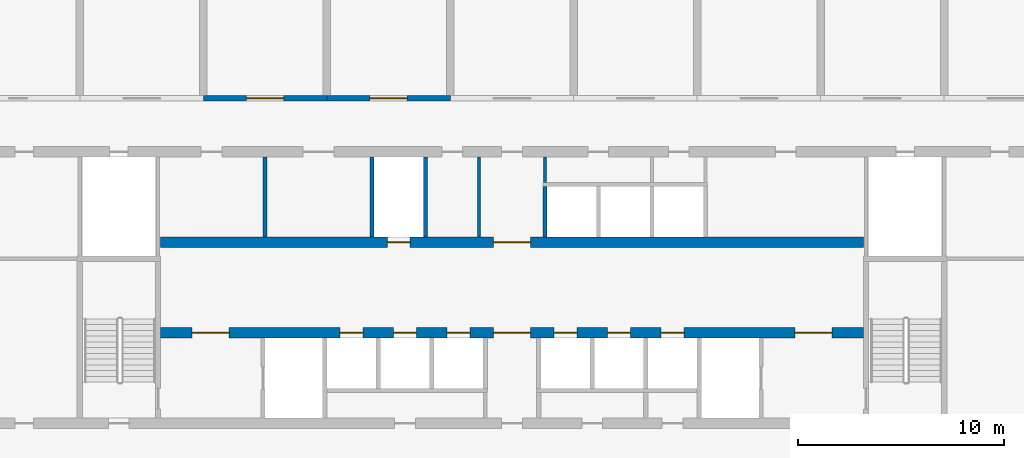
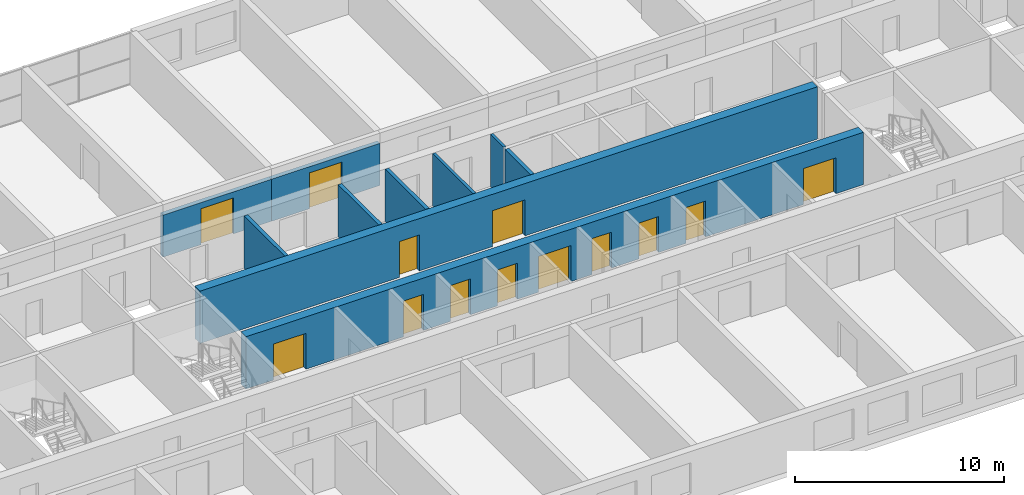
# One storey, part 10 of 18: 13 doors, 10 walls, 13 openings.
"""IFC4 building model written with IfcOpenShell, lengths in metres."""

from ifc_helpers import new_model, si_unit, direction, frame, frame_2d, origin, place, context, subcontext, project, spatial, rectangle, extrude, material, layer, layer_set, type_object, element, fill, save


model = new_model("IFC4")

# Units and contexts
model_context = context("Model", 3, precision=1e-05, world=origin(), true_north=direction((0.0, 1.0)))
body_context = subcontext(model_context, "Body", "Model", "MODEL_VIEW")
ifc_project = project(units=[si_unit("LENGTHUNIT", "METRE"), si_unit("AREAUNIT", "SQUARE_METRE"), si_unit("VOLUMEUNIT", "CUBIC_METRE"), si_unit("PLANEANGLEUNIT", "RADIAN"), si_unit("MASSUNIT", "GRAM", prefix="KILO")], contexts=[model_context])

# Site, building, storey
site_placement = place(None, origin())
site = spatial("IfcSite", under=ifc_project, at=site_placement, CompositionType="ELEMENT")
building_placement = place(site_placement, origin())
building = spatial("IfcBuilding", under=site, at=building_placement, Name="Poui Terraces", CompositionType="ELEMENT")
storey_placement = place(building_placement, frame((0.0, 0.0, 105.89990234375)))
storey = spatial("IfcBuildingStorey", under=building, at=storey_placement, Name="L29", CompositionType="ELEMENT", Elevation=105.89990234375)

# Wall, openings, doors
ifc_material_1 = material(Name="Concrete 65 MPa", Category="concrete")
ifc_layer_1 = layer(ifc_material_1, 0.5)
ifc_layer_set_1 = layer_set([ifc_layer_1], Name="Concrete 65 MPa")
wall_type_1 = type_object("IfcWallType", Name="CORE WALL 500 65 MPA", PredefinedType="SOLIDWALL", material=ifc_layer_set_1)
wall_1_placement = place(storey_placement, frame((33.925048828125, 19.0, 0.0), z_axis=(0.0, 0.0, 1.0), x_axis=(1.0, 0.0, 0.0)))
wall_1 = element("IfcWall", 1, at=wall_1_placement, inside=storey, type_object=wall_type_1, Name="CORE WALL", PredefinedType="SOLIDWALL", context=body_context, shape_type="SweptSolid", body=[
    extrude(rectangle(XDim=34.14990234375, YDim=0.5, at=frame_2d((17.074951171875, 0.0))), origin(), (0.0, 0.0, 1.0), 3.06005859375),
])
opening_1_placement = place(wall_1_placement, frame((16.175048828125, 0.0, 0.0)))
opening_1 = element("IfcOpeningElement", 2, at=opening_1_placement, cuts=wall_1, Name="Opening FDD60", PredefinedType="OPENING", context=body_context, shape_type="SweptSolid", body=[
    extrude(rectangle(XDim=1.800048828125, YDim=2.10009765625, at=frame_2d((0.89990234375, 1.050048828125))), frame((0.0, 0.260009765625, 0.0), z_axis=(0.0, -1.0, 0.0), x_axis=(1.0, 0.0, 0.0)), (0.0, 0.0, 1.0), 0.52001953125),
])
opening_2_placement = place(wall_1_placement, frame((1.52490234375, 0.0, 0.0)))
opening_2 = element("IfcOpeningElement", 3, at=opening_2_placement, cuts=wall_1, Name="Opening FDD60", PredefinedType="OPENING", context=body_context, shape_type="SweptSolid", body=[
    extrude(rectangle(XDim=1.800048828125, YDim=2.10009765625, at=frame_2d((0.89990234375, 1.050048828125))), frame((0.0, 0.260009765625, 0.0), z_axis=(0.0, -1.0, 0.0), x_axis=(1.0, 0.0, 0.0)), (0.0, 0.0, 1.0), 0.52001953125),
])
opening_3_placement = place(wall_1_placement, frame((8.72509765625, 0.0, 0.0)))
opening_3 = element("IfcOpeningElement", 4, at=opening_3_placement, cuts=wall_1, Name="Opening LD", PredefinedType="OPENING", context=body_context, shape_type="SweptSolid", body=[
    extrude(rectangle(XDim=1.10009765625, YDim=2.10009765625, at=frame_2d((0.550048828125, 1.050048828125))), frame((0.0, 0.260009765625, 0.0), z_axis=(0.0, -1.0, 0.0), x_axis=(1.0, 0.0, 0.0)), (0.0, 0.0, 1.0), 0.52001953125),
])
opening_4_placement = place(wall_1_placement, frame((11.324951171875, 0.0, 0.0)))
opening_4 = element("IfcOpeningElement", 5, at=opening_4_placement, cuts=wall_1, Name="Opening LD", PredefinedType="OPENING", context=body_context, shape_type="SweptSolid", body=[
    extrude(rectangle(XDim=1.10009765625, YDim=2.10009765625, at=frame_2d((0.550048828125, 1.050048828125))), frame((0.0, 0.260009765625, 0.0), z_axis=(0.0, -1.0, 0.0), x_axis=(1.0, 0.0, 0.0)), (0.0, 0.0, 1.0), 0.52001953125),
])
opening_5_placement = place(wall_1_placement, frame((13.925048828125, 0.0, 0.0)))
opening_5 = element("IfcOpeningElement", 6, at=opening_5_placement, cuts=wall_1, Name="Opening LD", PredefinedType="OPENING", context=body_context, shape_type="SweptSolid", body=[
    extrude(rectangle(XDim=1.10009765625, YDim=2.10009765625, at=frame_2d((0.550048828125, 1.050048828125))), frame((0.0, 0.260009765625, 0.0), z_axis=(0.0, -1.0, 0.0), x_axis=(1.0, 0.0, 0.0)), (0.0, 0.0, 1.0), 0.52001953125),
])
opening_6_placement = place(wall_1_placement, frame((19.125, 0.0, 0.0)))
opening_6 = element("IfcOpeningElement", 7, at=opening_6_placement, cuts=wall_1, Name="Opening LD", PredefinedType="OPENING", context=body_context, shape_type="SweptSolid", body=[
    extrude(rectangle(XDim=1.10009765625, YDim=2.10009765625, at=frame_2d((0.550048828125, 1.050048828125))), frame((0.0, 0.260009765625, 0.0), z_axis=(0.0, -1.0, 0.0), x_axis=(1.0, 0.0, 0.0)), (0.0, 0.0, 1.0), 0.52001953125),
])
opening_7_placement = place(wall_1_placement, frame((21.72509765625, 0.0, 0.0)))
opening_7 = element("IfcOpeningElement", 8, at=opening_7_placement, cuts=wall_1, Name="Opening LD", PredefinedType="OPENING", context=body_context, shape_type="SweptSolid", body=[
    extrude(rectangle(XDim=1.10009765625, YDim=2.10009765625, at=frame_2d((0.550048828125, 1.050048828125))), frame((0.0, 0.260009765625, 0.0), z_axis=(0.0, -1.0, 0.0), x_axis=(1.0, 0.0, 0.0)), (0.0, 0.0, 1.0), 0.52001953125),
])
opening_8_placement = place(wall_1_placement, frame((24.324951171875, 0.0, 0.0)))
opening_8 = element("IfcOpeningElement", 9, at=opening_8_placement, cuts=wall_1, Name="Opening LD", PredefinedType="OPENING", context=body_context, shape_type="SweptSolid", body=[
    extrude(rectangle(XDim=1.10009765625, YDim=2.10009765625, at=frame_2d((0.550048828125, 1.050048828125))), frame((0.0, 0.260009765625, 0.0), z_axis=(0.0, -1.0, 0.0), x_axis=(1.0, 0.0, 0.0)), (0.0, 0.0, 1.0), 0.52001953125),
])
opening_9_placement = place(wall_1_placement, frame((30.824951171875, 0.0, 0.0)))
opening_9 = element("IfcOpeningElement", 10, at=opening_9_placement, cuts=wall_1, Name="Opening FDD60", PredefinedType="OPENING", context=body_context, shape_type="SweptSolid", body=[
    extrude(rectangle(XDim=1.800048828125, YDim=2.10009765625, at=frame_2d((0.89990234375, 1.050048828125))), frame((0.0, 0.260009765625, 0.0), z_axis=(0.0, -1.0, 0.0), x_axis=(1.0, 0.0, 0.0)), (0.0, 0.0, 1.0), 0.52001953125),
])
ifc_material_2 = material(Name="Steel fire door", Category="steel")
door_type_1 = type_object("IfcDoorType", Name="DOUBLE LOBBY FIRE DOOR 1800 X 2100", OperationType="DOUBLE_DOOR_SINGLE_SWING", PredefinedType="DOOR", material=ifc_material_2)
door_1_placement = place(opening_1_placement, frame((1.800048828125, 0.0, 0.0), z_axis=(0.0, 0.0, 1.0), x_axis=(-1.0, 0.0, 0.0)))
door_1 = element("IfcDoor", 11, at=door_1_placement, inside=storey, type_object=door_type_1, Name="DOUBLE LOBBY FIRE DOOR 076", OperationType="DOUBLE_DOOR_SINGLE_SWING", OverallHeight=2.10009765625, OverallWidth=1.800048828125, PredefinedType="DOOR", context=body_context, shape_type="SweptSolid", body=[
    extrude(rectangle(XDim=1.800048828125, YDim=2.10009765625, at=frame_2d((0.89990234375, 1.050048828125))), frame((0.0, 0.02490234375, 0.0), z_axis=(0.0, -1.0, 0.0), x_axis=(1.0, 0.0, 0.0)), (0.0, 0.0, 1.0), 0.050048828125),
])
fill(opening_1, door_1)
door_2_placement = place(opening_2_placement, origin())
door_2 = element("IfcDoor", 12, at=door_2_placement, inside=storey, type_object=door_type_1, Name="DOUBLE LOBBY FIRE DOOR 077", OperationType="DOUBLE_DOOR_SINGLE_SWING", OverallHeight=2.10009765625, OverallWidth=1.800048828125, PredefinedType="DOOR", context=body_context, shape_type="SweptSolid", body=[
    extrude(rectangle(XDim=1.800048828125, YDim=2.10009765625, at=frame_2d((0.89990234375, 1.050048828125))), frame((0.0, 0.02490234375, 0.0), z_axis=(0.0, -1.0, 0.0), x_axis=(1.0, 0.0, 0.0)), (0.0, 0.0, 1.0), 0.050048828125),
])
fill(opening_2, door_2)
door_3_placement = place(opening_9_placement, origin())
door_3 = element("IfcDoor", 13, at=door_3_placement, inside=storey, type_object=door_type_1, Name="DOUBLE LOBBY FIRE DOOR 085", OperationType="DOUBLE_DOOR_SINGLE_SWING", OverallHeight=2.10009765625, OverallWidth=1.800048828125, PredefinedType="DOOR", context=body_context, shape_type="SweptSolid", body=[
    extrude(rectangle(XDim=1.800048828125, YDim=2.10009765625, at=frame_2d((0.89990234375, 1.050048828125))), frame((0.0, 0.02490234375, 0.0), z_axis=(0.0, -1.0, 0.0), x_axis=(1.0, 0.0, 0.0)), (0.0, 0.0, 1.0), 0.050048828125),
])
fill(opening_9, door_3)
ifc_material_3 = material(Name="Stainless steel sliding door", Category="steel")
door_type_2 = type_object("IfcDoorType", Name="LIFT LANDING DOOR 1100 X 2100", OperationType="DOUBLE_DOOR_SLIDING", PredefinedType="DOOR", material=ifc_material_3)
door_4_placement = place(opening_3_placement, origin())
door_4 = element("IfcDoor", 14, at=door_4_placement, inside=storey, type_object=door_type_2, Name="LANDING DOOR", OperationType="DOUBLE_DOOR_SLIDING", OverallHeight=2.10009765625, OverallWidth=1.10009765625, PredefinedType="DOOR", context=body_context, shape_type="SweptSolid", body=[
    extrude(rectangle(XDim=1.10009765625, YDim=2.10009765625, at=frame_2d((0.550048828125, 1.050048828125))), frame((0.0, 0.02490234375, 0.0), z_axis=(0.0, -1.0, 0.0), x_axis=(1.0, 0.0, 0.0)), (0.0, 0.0, 1.0), 0.050048828125),
])
fill(opening_3, door_4)
door_5_placement = place(opening_4_placement, origin())
door_5 = element("IfcDoor", 15, at=door_5_placement, inside=storey, type_object=door_type_2, Name="LANDING DOOR", OperationType="DOUBLE_DOOR_SLIDING", OverallHeight=2.10009765625, OverallWidth=1.10009765625, PredefinedType="DOOR", context=body_context, shape_type="SweptSolid", body=[
    extrude(rectangle(XDim=1.10009765625, YDim=2.10009765625, at=frame_2d((0.550048828125, 1.050048828125))), frame((0.0, 0.02490234375, 0.0), z_axis=(0.0, -1.0, 0.0), x_axis=(1.0, 0.0, 0.0)), (0.0, 0.0, 1.0), 0.050048828125),
])
fill(opening_4, door_5)
door_6_placement = place(opening_5_placement, origin())
door_6 = element("IfcDoor", 16, at=door_6_placement, inside=storey, type_object=door_type_2, Name="LANDING DOOR", OperationType="DOUBLE_DOOR_SLIDING", OverallHeight=2.10009765625, OverallWidth=1.10009765625, PredefinedType="DOOR", context=body_context, shape_type="SweptSolid", body=[
    extrude(rectangle(XDim=1.10009765625, YDim=2.10009765625, at=frame_2d((0.550048828125, 1.050048828125))), frame((0.0, 0.02490234375, 0.0), z_axis=(0.0, -1.0, 0.0), x_axis=(1.0, 0.0, 0.0)), (0.0, 0.0, 1.0), 0.050048828125),
])
fill(opening_5, door_6)
door_7_placement = place(opening_6_placement, origin())
door_7 = element("IfcDoor", 17, at=door_7_placement, inside=storey, type_object=door_type_2, Name="LANDING DOOR", OperationType="DOUBLE_DOOR_SLIDING", OverallHeight=2.10009765625, OverallWidth=1.10009765625, PredefinedType="DOOR", context=body_context, shape_type="SweptSolid", body=[
    extrude(rectangle(XDim=1.10009765625, YDim=2.10009765625, at=frame_2d((0.550048828125, 1.050048828125))), frame((0.0, 0.02490234375, 0.0), z_axis=(0.0, -1.0, 0.0), x_axis=(1.0, 0.0, 0.0)), (0.0, 0.0, 1.0), 0.050048828125),
])
fill(opening_6, door_7)
door_8_placement = place(opening_7_placement, origin())
door_8 = element("IfcDoor", 18, at=door_8_placement, inside=storey, type_object=door_type_2, Name="LANDING DOOR", OperationType="DOUBLE_DOOR_SLIDING", OverallHeight=2.10009765625, OverallWidth=1.10009765625, PredefinedType="DOOR", context=body_context, shape_type="SweptSolid", body=[
    extrude(rectangle(XDim=1.10009765625, YDim=2.10009765625, at=frame_2d((0.550048828125, 1.050048828125))), frame((0.0, 0.02490234375, 0.0), z_axis=(0.0, -1.0, 0.0), x_axis=(1.0, 0.0, 0.0)), (0.0, 0.0, 1.0), 0.050048828125),
])
fill(opening_7, door_8)
door_9_placement = place(opening_8_placement, origin())
door_9 = element("IfcDoor", 19, at=door_9_placement, inside=storey, type_object=door_type_2, Name="LANDING DOOR", OperationType="DOUBLE_DOOR_SLIDING", OverallHeight=2.10009765625, OverallWidth=1.10009765625, PredefinedType="DOOR", context=body_context, shape_type="SweptSolid", body=[
    extrude(rectangle(XDim=1.10009765625, YDim=2.10009765625, at=frame_2d((0.550048828125, 1.050048828125))), frame((0.0, 0.02490234375, 0.0), z_axis=(0.0, -1.0, 0.0), x_axis=(1.0, 0.0, 0.0)), (0.0, 0.0, 1.0), 0.050048828125),
])
fill(opening_8, door_9)

wall_2_placement = place(storey_placement, frame((33.925048828125, 23.39990234375, 0.0), z_axis=(0.0, 0.0, 1.0), x_axis=(1.0, 0.0, 0.0)))
wall_2 = element("IfcWall", 20, at=wall_2_placement, inside=storey, type_object=wall_type_1, Name="CORE WALL", PredefinedType="SOLIDWALL", context=body_context, shape_type="SweptSolid", body=[
    extrude(rectangle(XDim=34.14990234375, YDim=0.5, at=frame_2d((17.074951171875, 0.0))), origin(), (0.0, 0.0, 1.0), 3.06005859375),
])
opening_10_placement = place(wall_2_placement, frame((16.175048828125, 0.0, 0.0)))
opening_10 = element("IfcOpeningElement", 21, at=opening_10_placement, cuts=wall_2, Name="Opening FDD60", PredefinedType="OPENING", context=body_context, shape_type="SweptSolid", body=[
    extrude(rectangle(XDim=1.800048828125, YDim=2.10009765625, at=frame_2d((0.89990234375, 1.050048828125))), frame((0.0, 0.260009765625, 0.0), z_axis=(0.0, -1.0, 0.0), x_axis=(1.0, 0.0, 0.0)), (0.0, 0.0, 1.0), 0.52001953125),
])
opening_11_placement = place(wall_2_placement, frame((11.02490234375, 0.0, 0.0)))
opening_11 = element("IfcOpeningElement", 22, at=opening_11_placement, cuts=wall_2, Name="Opening LD", PredefinedType="OPENING", context=body_context, shape_type="SweptSolid", body=[
    extrude(rectangle(XDim=1.10009765625, YDim=2.10009765625, at=frame_2d((0.550048828125, 1.050048828125))), frame((0.0, 0.260009765625, 0.0), z_axis=(0.0, -1.0, 0.0), x_axis=(1.0, 0.0, 0.0)), (0.0, 0.0, 1.0), 0.52001953125),
])
door_10_placement = place(opening_10_placement, origin())
door_10 = element("IfcDoor", 23, at=door_10_placement, inside=storey, type_object=door_type_1, Name="DOUBLE LOBBY FIRE DOOR 075", OperationType="DOUBLE_DOOR_SINGLE_SWING", OverallHeight=2.10009765625, OverallWidth=1.800048828125, PredefinedType="DOOR", context=body_context, shape_type="SweptSolid", body=[
    extrude(rectangle(XDim=1.800048828125, YDim=2.10009765625, at=frame_2d((0.89990234375, 1.050048828125))), frame((0.0, 0.02490234375, 0.0), z_axis=(0.0, -1.0, 0.0), x_axis=(1.0, 0.0, 0.0)), (0.0, 0.0, 1.0), 0.050048828125),
])
fill(opening_10, door_10)
door_11_placement = place(opening_11_placement, origin())
door_11 = element("IfcDoor", 24, at=door_11_placement, inside=storey, type_object=door_type_2, Name="LANDING DOOR", OperationType="DOUBLE_DOOR_SLIDING", OverallHeight=2.10009765625, OverallWidth=1.10009765625, PredefinedType="DOOR", context=body_context, shape_type="SweptSolid", body=[
    extrude(rectangle(XDim=1.10009765625, YDim=2.10009765625, at=frame_2d((0.550048828125, 1.050048828125))), frame((0.0, 0.02490234375, 0.0), z_axis=(0.0, -1.0, 0.0), x_axis=(1.0, 0.0, 0.0)), (0.0, 0.0, 1.0), 0.050048828125),
])
fill(opening_11, door_11)

# Walls
ifc_material_4 = material(Name="Fire-rated plasterboard wall")
ifc_layer_2 = layer(ifc_material_4, 0.14990234375)
ifc_layer_set_2 = layer_set([ifc_layer_2], Name="Fire-rated plasterboard wall")
wall_type_2 = type_object("IfcWallType", Name="CORRIDOR WALL 150", PredefinedType="PARTITIONING", material=ifc_layer_set_2)
wall_3_placement = place(storey_placement, frame((49.39990234375, 23.659912109375, 0.0), z_axis=(0.0, 0.0, 1.0), x_axis=(0.0, 1.0, 0.0)))
element("IfcWall", 25, at=wall_3_placement, inside=storey, type_object=wall_type_2, Name="CORRIDOR WALL 150", PredefinedType="PARTITIONING", context=body_context, shape_type="SweptSolid", body=[
    extrude(rectangle(XDim=3.880126953125, YDim=0.14990234375, at=frame_2d((1.93994140625, 0.0))), origin(), (0.0, 0.0, 1.0), 3.06005859375),
])
wall_4_placement = place(storey_placement, frame((52.60009765625, 26.300048828125, 0.0), z_axis=(0.0, 0.0, 1.0), x_axis=(0.0, 1.0, 0.0)))
element("IfcWall", 26, at=wall_4_placement, inside=storey, type_object=wall_type_2, Name="CORRIDOR WALL 150", PredefinedType="PARTITIONING", context=body_context, shape_type="SweptSolid", body=[
    extrude(rectangle(XDim=1.239990234375, YDim=0.14990234375, at=frame_2d((0.6201171875, 0.0))), origin(), (0.0, 0.0, 1.0), 3.06005859375),
])

# Wall, opening, door
ifc_layer_3 = layer(ifc_material_1, 0.25)
ifc_layer_set_3 = layer_set([ifc_layer_3], Name="Concrete 65 MPa")
wall_type_3 = type_object("IfcWallType", Name="CORRIDOR WALL 250 65MPa", PredefinedType="SHEAR", material=ifc_layer_set_3)
wall_5_placement = place(storey_placement, frame((36.0, 30.39990234375, 0.0), z_axis=(0.0, 0.0, 1.0), x_axis=(1.0, 0.0, 0.0)))
wall_5 = element("IfcWall", 27, at=wall_5_placement, inside=storey, type_object=wall_type_3, Name="CORRIDOR WALL LINE E BAY 5", PredefinedType="SHEAR", context=body_context, shape_type="SweptSolid", body=[
    extrude(rectangle(XDim=6.0, YDim=0.25, at=frame_2d((3.0, 0.0))), origin(), (0.0, 0.0, 1.0), 2.460205078125),
])
opening_12_placement = place(wall_5_placement, frame((2.10009765625, 0.0, 0.0)))
opening_12 = element("IfcOpeningElement", 28, at=opening_12_placement, cuts=wall_5, Name="Opening DD180", PredefinedType="OPENING", context=body_context, shape_type="SweptSolid", body=[
    extrude(rectangle(XDim=1.800048828125, YDim=2.10009765625, at=frame_2d((0.89990234375, 1.050048828125))), frame((0.0, 0.135009765625, 0.0), z_axis=(0.0, -1.0, 0.0), x_axis=(1.0, 0.0, 0.0)), (0.0, 0.0, 1.0), 0.27001953125),
])
door_type_3 = type_object("IfcDoorType", Name="DOUBLE INTERNAL DOOR 1800 X 2100", OperationType="DOUBLE_DOOR_SINGLE_SWING", PredefinedType="DOOR", material=ifc_material_2)
door_12_placement = place(opening_12_placement, frame((1.800048828125, 0.0, 0.0), z_axis=(0.0, 0.0, 1.0), x_axis=(-1.0, 0.0, 0.0)))
door_12 = element("IfcDoor", 29, at=door_12_placement, inside=storey, type_object=door_type_3, Name="DOUBLE INTERNAL DOOR 012", OperationType="DOUBLE_DOOR_SINGLE_SWING", OverallHeight=2.10009765625, OverallWidth=1.800048828125, PredefinedType="DOOR", context=body_context, shape_type="SweptSolid", body=[
    extrude(rectangle(XDim=1.800048828125, YDim=2.10009765625, at=frame_2d((0.89990234375, 1.050048828125))), frame((0.0, 0.02490234375, 0.0), z_axis=(0.0, -1.0, 0.0), x_axis=(1.0, 0.0, 0.0)), (0.0, 0.0, 1.0), 0.050048828125),
])
fill(opening_12, door_12)

wall_6_placement = place(storey_placement, frame((42.0, 30.39990234375, 0.0), z_axis=(0.0, 0.0, 1.0), x_axis=(1.0, 0.0, 0.0)))
wall_6 = element("IfcWall", 30, at=wall_6_placement, inside=storey, type_object=wall_type_3, Name="CORRIDOR WALL LINE E BAY 6", PredefinedType="SHEAR", context=body_context, shape_type="SweptSolid", body=[
    extrude(rectangle(XDim=6.0, YDim=0.25, at=frame_2d((3.0, 0.0))), origin(), (0.0, 0.0, 1.0), 2.460205078125),
])
opening_13_placement = place(wall_6_placement, frame((2.10009765625, 0.0, 0.0)))
opening_13 = element("IfcOpeningElement", 31, at=opening_13_placement, cuts=wall_6, Name="Opening DD180", PredefinedType="OPENING", context=body_context, shape_type="SweptSolid", body=[
    extrude(rectangle(XDim=1.800048828125, YDim=2.10009765625, at=frame_2d((0.89990234375, 1.050048828125))), frame((0.0, 0.135009765625, 0.0), z_axis=(0.0, -1.0, 0.0), x_axis=(1.0, 0.0, 0.0)), (0.0, 0.0, 1.0), 0.27001953125),
])
door_13_placement = place(opening_13_placement, frame((1.800048828125, 0.0, 0.0), z_axis=(0.0, 0.0, 1.0), x_axis=(-1.0, 0.0, 0.0)))
door_13 = element("IfcDoor", 32, at=door_13_placement, inside=storey, type_object=door_type_3, Name="DOUBLE INTERNAL DOOR 014", OperationType="DOUBLE_DOOR_SINGLE_SWING", OverallHeight=2.10009765625, OverallWidth=1.800048828125, PredefinedType="DOOR", context=body_context, shape_type="SweptSolid", body=[
    extrude(rectangle(XDim=1.800048828125, YDim=2.10009765625, at=frame_2d((0.89990234375, 1.050048828125))), frame((0.0, 0.02490234375, 0.0), z_axis=(0.0, -1.0, 0.0), x_axis=(1.0, 0.0, 0.0)), (0.0, 0.0, 1.0), 0.050048828125),
])
fill(opening_13, door_13)

# Walls
ifc_material_5 = material(Name="Fire-rated masonry wall", Category="masonry")
ifc_layer_4 = layer(ifc_material_5, 0.199951171875)
ifc_layer_set_4 = layer_set([ifc_layer_4], Name="Fire-rated masonry wall")
wall_type_4 = type_object("IfcWallType", Name="PLANT ROOM WALL 200", PredefinedType="PARTITIONING", material=ifc_layer_set_4)
wall_7_placement = place(storey_placement, frame((39.0, 23.659912109375, 0.0), z_axis=(0.0, 0.0, 1.0), x_axis=(0.0, 1.0, 0.0)))
element("IfcWall", 33, at=wall_7_placement, inside=storey, type_object=wall_type_4, Name="PLANT ROOM WALL 200", PredefinedType="PARTITIONING", context=body_context, shape_type="SweptSolid", body=[
    extrude(rectangle(XDim=3.880126953125, YDim=0.199951171875, at=frame_2d((1.93994140625, 0.0))), origin(), (0.0, 0.0, 1.0), 3.06005859375),
])
ifc_material_6 = material(Name="Fire-rated masonry shaft wall", Category="masonry")
ifc_layer_5 = layer(ifc_material_6, 0.199951171875)
ifc_layer_set_5 = layer_set([ifc_layer_5], Name="Fire-rated masonry shaft wall")
wall_type_5 = type_object("IfcWallType", Name="SHAFT WALL 200", PredefinedType="PARTITIONING", material=ifc_layer_set_5)
for number, where, z_axis, x_axis, name in (
    (34, (44.199951171875, 23.659912109375, 0.0), (0.0, 0.0, 1.0), (0.0, 1.0, 0.0), "SHAFT WALL 200"),
    (35, (46.800048828125, 23.659912109375, 0.0), (0.0, 0.0, 1.0), (0.0, 1.0, 0.0), "SHAFT WALL 200"),
):
    element("IfcWall", number, at=place(storey_placement, frame(where, z_axis=z_axis, x_axis=x_axis)), inside=storey, type_object=wall_type_5, Name=name, PredefinedType="PARTITIONING", context=body_context, shape_type="SweptSolid", body=[
        extrude(rectangle(XDim=3.880126953125, YDim=0.199951171875, at=frame_2d((1.93994140625, 0.0))), origin(), (0.0, 0.0, 1.0), 3.06005859375),
    ])
wall_8_placement = place(storey_placement, frame((52.60009765625, 23.659912109375, 0.0), z_axis=(0.0, 0.0, 1.0), x_axis=(0.0, 1.0, 0.0)))
element("IfcWall", 36, at=wall_8_placement, inside=storey, type_object=wall_type_5, Name="SHAFT WALL 200", PredefinedType="PARTITIONING", context=body_context, shape_type="SweptSolid", body=[
    extrude(rectangle(XDim=2.440185546875, YDim=0.199951171875, at=frame_2d((1.22021484375, 0.0))), origin(), (0.0, 0.0, 1.0), 3.06005859375),
])

save(model, "model.ifc")
